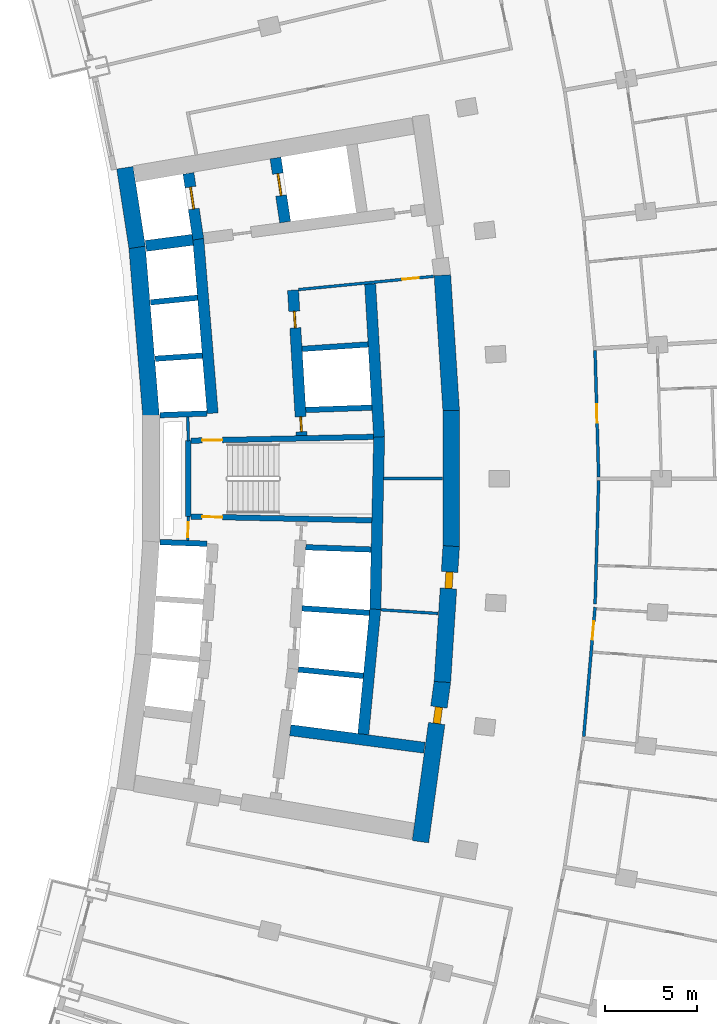
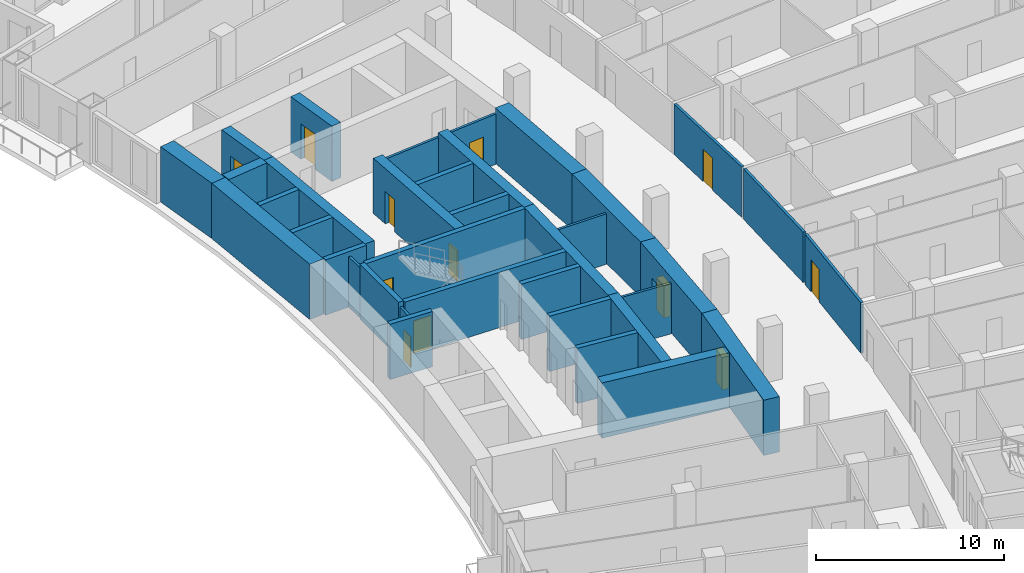
# One storey, part 16 of 25: 35 walls, 12 doors, 12 openings.
"""IFC4 building model written with IfcOpenShell, lengths in metres."""

from ifc_helpers import new_model, si_unit, direction, frame, frame_2d, origin, place, context, subcontext, project, spatial, rectangle, extrude, material, layer, layer_set, type_object, element, fill, save


model = new_model("IFC4")

# Units and contexts
model_context = context("Model", 3, precision=1e-05, world=origin(), true_north=direction((0.0, 1.0)))
body_context = subcontext(model_context, "Body", "Model", "MODEL_VIEW")
ifc_project = project(units=[si_unit("LENGTHUNIT", "METRE"), si_unit("AREAUNIT", "SQUARE_METRE"), si_unit("VOLUMEUNIT", "CUBIC_METRE"), si_unit("PLANEANGLEUNIT", "RADIAN"), si_unit("MASSUNIT", "GRAM", prefix="KILO")], contexts=[model_context])

# Site, building, storey
site_placement = place(None, origin())
site = spatial("IfcSite", under=ifc_project, at=site_placement, CompositionType="ELEMENT")
building_placement = place(site_placement, origin())
building = spatial("IfcBuilding", under=site, at=building_placement, Name="Alderwake Tower", CompositionType="ELEMENT")
storey_placement = place(building_placement, frame((0.0, 0.0, 68.0)))
storey = spatial("IfcBuildingStorey", under=building, at=storey_placement, Name="L16", CompositionType="ELEMENT", Elevation=68.0)

# Wall, opening, door
ifc_material_1 = material(Name="Gypsum shaft wall system, rated")
ifc_layer_1 = layer(ifc_material_1, 0.14990234375)
ifc_layer_set_1 = layer_set([ifc_layer_1], Name="Core room partition 150")
wall_type_1 = type_object("IfcWallType", Name="Core room partition 150", PredefinedType="PARTITIONING", material=ifc_layer_set_1)
wall_1_placement = place(storey_placement, frame((18.918701171875, 58.94384765625, 0.0), z_axis=(0.0, 0.0, 1.0), x_axis=(-0.027348257573, -0.999625966453, 0.0)))
wall_1 = element("IfcWall", 1, at=wall_1_placement, inside=storey, type_object=wall_type_1, Name="CW/L16/PA+24_-37", PredefinedType="PARTITIONING", context=body_context, shape_type="SweptSolid", body=[
    extrude(rectangle(XDim=1.29443359375, YDim=0.14990234375, at=frame_2d((0.647216796875, 0.0))), origin(), (0.0, 0.0, 1.0), 3.280029296875),
])
opening_1_placement = place(wall_1_placement, frame((0.322998046875, 0.0, 0.0)))
opening_1 = element("IfcOpeningElement", 2, at=opening_1_placement, cuts=wall_1, Name="Opening C004", PredefinedType="OPENING", context=body_context, shape_type="SweptSolid", body=[
    extrude(rectangle(XDim=0.800048828125, YDim=2.0, at=frame_2d((0.39990234375, 1.0))), frame((0.0, 0.0849609375, 0.0), z_axis=(0.0, -1.0, 0.0), x_axis=(1.0, 0.0, 0.0)), (0.0, 0.0, 1.0), 0.169921875),
])
ifc_material_2 = material(Name="Painted steel leaf, rated", Category="steel")
door_type_1 = type_object("IfcDoorType", Name="Riser access door 800", OperationType="SINGLE_SWING_LEFT", PredefinedType="DOOR", material=ifc_material_2)
door_1_placement = place(opening_1_placement, origin())
door_1 = element("IfcDoor", 3, at=door_1_placement, inside=storey, type_object=door_type_1, Name="Riser access door", OperationType="SINGLE_SWING_RIGHT", OverallHeight=2.0, OverallWidth=0.800048828125, PredefinedType="DOOR", context=body_context, shape_type="SweptSolid", body=[
    extrude(rectangle(XDim=0.800048828125, YDim=2.0, at=frame_2d((0.39990234375, 1.0))), frame((0.0, 0.02490234375, 0.0), z_axis=(0.0, -1.0, 0.0), x_axis=(1.0, 0.0, 0.0)), (0.0, 0.0, 1.0), 0.050048828125),
])
fill(opening_1, door_1)

# Walls
wall_2_placement = place(storey_placement, frame((18.918701171875, 63.05517578125, 0.0), z_axis=(0.0, 0.0, 1.0), x_axis=(-0.027327648352, 0.999626530078, 0.0)))
element("IfcWall", 4, at=wall_2_placement, inside=storey, type_object=wall_type_1, Name="CW/L16/PA+24_+22", PredefinedType="PARTITIONING", context=body_context, shape_type="SweptSolid", body=[
    extrude(rectangle(XDim=1.29541015625, YDim=0.14990234375, at=frame_2d((0.647705078125, 0.0))), origin(), (0.0, 0.0, 1.0), 3.280029296875),
])
wall_3_placement = place(storey_placement, frame((29.368408203125, 53.8779296875, 0.0), z_axis=(0.0, 0.0, 1.0), x_axis=(0.997885422127, -0.064997571548, 0.0)))
element("IfcWall", 5, at=wall_3_placement, inside=storey, type_object=wall_type_1, Name="CW/L16/PR-68_+128", PredefinedType="PARTITIONING", context=body_context, shape_type="SweptSolid", body=[
    extrude(rectangle(XDim=3.110107421875, YDim=0.14990234375, at=frame_2d((1.55517578125, 0.0))), origin(), (0.0, 0.0, 1.0), 3.280029296875),
])
wall_4_placement = place(storey_placement, frame((29.526123046875, 61.0, 0.0), z_axis=(0.0, 0.0, 1.0), x_axis=(1.0, 0.0, 0.0)))
element("IfcWall", 6, at=wall_4_placement, inside=storey, type_object=wall_type_1, Name="CW/L16/PR+0_+128", PredefinedType="PARTITIONING", context=body_context, shape_type="SweptSolid", body=[
    extrude(rectangle(XDim=3.18408203125, YDim=0.14990234375, at=frame_2d((1.592041015625, 0.0))), origin(), (0.0, 0.0, 1.0), 3.280029296875),
])

# Wall, opening, door
wall_5_placement = place(storey_placement, frame((32.233642578125, 71.982177734375, 0.0), z_axis=(0.0, 0.0, 1.0), x_axis=(-0.995245540971, -0.097397706226, 0.0)))
wall_5 = element("IfcWall", 7, at=wall_5_placement, inside=storey, type_object=wall_type_1, Name="CW/L16/PR+102_+86", PredefinedType="PARTITIONING", context=body_context, shape_type="SweptSolid", body=[
    extrude(rectangle(XDim=7.36962890625, YDim=0.14990234375, at=frame_2d((3.684814453125, 0.0))), origin(), (0.0, 0.0, 1.0), 3.280029296875),
])
opening_2_placement = place(wall_5_placement, frame((0.819580078125, 0.0, 0.0)))
opening_2 = element("IfcOpeningElement", 8, at=opening_2_placement, cuts=wall_5, Name="Opening C032", PredefinedType="OPENING", context=body_context, shape_type="SweptSolid", body=[
    extrude(rectangle(XDim=0.89990234375, YDim=2.10009765625, at=frame_2d((0.449951171875, 1.050048828125))), frame((0.0, 0.0849609375, 0.0), z_axis=(0.0, -1.0, 0.0), x_axis=(1.0, 0.0, 0.0)), (0.0, 0.0, 1.0), 0.169921875),
])
ifc_material_3 = material(Name="Painted steel leaf", Category="steel")
door_type_2 = type_object("IfcDoorType", Name="Core room door 900", OperationType="SINGLE_SWING_LEFT", PredefinedType="DOOR", material=ifc_material_3)
door_2_placement = place(opening_2_placement, origin())
door_2 = element("IfcDoor", 9, at=door_2_placement, inside=storey, type_object=door_type_2, Name="Room door", OperationType="SINGLE_SWING_RIGHT", OverallHeight=2.10009765625, OverallWidth=0.89990234375, PredefinedType="DOOR", context=body_context, shape_type="SweptSolid", body=[
    extrude(rectangle(XDim=0.89990234375, YDim=2.10009765625, at=frame_2d((0.449951171875, 1.050048828125))), frame((0.0, 0.02490234375, 0.0), z_axis=(0.0, -1.0, 0.0), x_axis=(1.0, 0.0, 0.0)), (0.0, 0.0, 1.0), 0.050048828125),
])
fill(opening_2, door_2)

# Walls
ifc_material_4 = material(Name="Concrete C70/85", Category="concrete")
ifc_layer_2 = layer(ifc_material_4, 0.89990234375)
ifc_layer_set_2 = layer_set([ifc_layer_2], Name="Core wall outer 900 C70-85")
wall_type_2 = type_object("IfcWallType", Name="Core wall outer 900 C70-85", PredefinedType="SHEAR", material=ifc_layer_set_2)
wall_6_placement = place(storey_placement, frame((16.890869140625, 64.41064453125, 0.0), z_axis=(0.0, 0.0, 1.0), x_axis=(-0.082624275373, 0.996580768989, 0.0)))
element("IfcWall", 10, at=wall_6_placement, inside=storey, type_object=wall_type_2, Name="Core wall CW.040", PredefinedType="SHEAR", context=body_context, shape_type="SweptSolid", body=[
    extrude(rectangle(XDim=9.210205078125, YDim=0.89990234375, at=frame_2d((4.60498046875, 0.0))), origin(), (0.0, 0.0, 1.0), 3.60009765625),
])
wall_7_placement = place(storey_placement, frame((16.1337890625, 73.557373046875, 0.0), z_axis=(0.0, 0.0, 1.0), x_axis=(-0.151956504286, 0.988387181627, 0.0)))
element("IfcWall", 11, at=wall_7_placement, inside=storey, type_object=wall_type_2, Name="Core wall CW.039", PredefinedType="SHEAR", context=body_context, shape_type="SweptSolid", body=[
    extrude(rectangle(XDim=4.373291015625, YDim=0.89990234375, at=frame_2d((2.1865234375, 0.0))), origin(), (0.0, 0.0, 1.0), 3.60009765625),
])

# Wall, opening, door
wall_8_placement = place(storey_placement, frame((32.7138671875, 49.9873046875, 0.0), z_axis=(0.0, 0.0, 1.0), x_axis=(-0.135844728876, -0.990730139663, 0.0)))
wall_8 = element("IfcWall", 12, at=wall_8_placement, inside=storey, type_object=wall_type_2, Name="Core wall CW.012", PredefinedType="SHEAR", context=body_context, shape_type="SweptSolid", body=[
    extrude(rectangle(XDim=8.78662109375, YDim=0.89990234375, at=frame_2d((4.393310546875, 0.0))), origin(), (0.0, 0.0, 1.0), 3.60009765625),
])
opening_3_placement = place(wall_8_placement, frame((1.40673828125, 0.0, 0.0)))
opening_3 = element("IfcOpeningElement", 13, at=opening_3_placement, cuts=wall_8, Name="Opening C049", PredefinedType="OPENING", context=body_context, shape_type="SweptSolid", body=[
    extrude(rectangle(XDim=0.89990234375, YDim=2.10009765625, at=frame_2d((0.449951171875, 1.050048828125))), frame((0.0, 0.4599609375, 0.0), z_axis=(0.0, -1.0, 0.0), x_axis=(1.0, 0.0, 0.0)), (0.0, 0.0, 1.0), 0.919921875),
])
door_3_placement = place(opening_3_placement, origin())
door_3 = element("IfcDoor", 14, at=door_3_placement, inside=storey, type_object=door_type_2, Name="Room door", OperationType="SINGLE_SWING_LEFT", OverallHeight=2.10009765625, OverallWidth=0.89990234375, PredefinedType="DOOR", context=body_context, shape_type="SweptSolid", body=[
    extrude(rectangle(XDim=0.89990234375, YDim=2.10009765625, at=frame_2d((0.449951171875, 1.050048828125))), frame((0.0, 0.199951171875, 0.0), z_axis=(0.0, -1.0, 0.0), x_axis=(1.0, 0.0, 0.0)), (0.0, 0.0, 1.0), 0.39990234375),
])
fill(opening_3, door_3)

wall_9_placement = place(storey_placement, frame((33.191162109375, 57.33349609375, 0.0), z_axis=(0.0, 0.0, 1.0), x_axis=(-0.064976219143, -0.997886812693, 0.0)))
wall_9 = element("IfcWall", 15, at=wall_9_placement, inside=storey, type_object=wall_type_2, Name="Core wall CW.011", PredefinedType="SHEAR", context=body_context, shape_type="SweptSolid", body=[
    extrude(rectangle(XDim=7.39453125, YDim=0.89990234375, at=frame_2d((3.697265625, 0.0))), origin(), (0.0, 0.0, 1.0), 3.60009765625),
])
opening_4_placement = place(wall_9_placement, frame((1.405517578125, 0.0, 0.0)))
opening_4 = element("IfcOpeningElement", 16, at=opening_4_placement, cuts=wall_9, Name="Opening C028", PredefinedType="OPENING", context=body_context, shape_type="SweptSolid", body=[
    extrude(rectangle(XDim=0.89990234375, YDim=2.10009765625, at=frame_2d((0.449951171875, 1.050048828125))), frame((0.0, 0.4599609375, 0.0), z_axis=(0.0, -1.0, 0.0), x_axis=(1.0, 0.0, 0.0)), (0.0, 0.0, 1.0), 0.919921875),
])
door_4_placement = place(opening_4_placement, origin())
door_4 = element("IfcDoor", 17, at=door_4_placement, inside=storey, type_object=door_type_2, Name="Room door", OperationType="SINGLE_SWING_LEFT", OverallHeight=2.10009765625, OverallWidth=0.89990234375, PredefinedType="DOOR", context=body_context, shape_type="SweptSolid", body=[
    extrude(rectangle(XDim=0.89990234375, YDim=2.10009765625, at=frame_2d((0.449951171875, 1.050048828125))), frame((0.0, 0.199951171875, 0.0), z_axis=(0.0, -1.0, 0.0), x_axis=(1.0, 0.0, 0.0)), (0.0, 0.0, 1.0), 0.39990234375),
])
fill(opening_4, door_4)

# Walls
wall_10_placement = place(storey_placement, frame((33.190185546875, 57.30322265625, 0.0), z_axis=(0.0, 0.0, 1.0), x_axis=(0.0, 1.0, 0.0)))
element("IfcWall", 18, at=wall_10_placement, inside=storey, type_object=wall_type_2, Name="Core wall CW.013", PredefinedType="SHEAR", context=body_context, shape_type="SweptSolid", body=[
    extrude(rectangle(XDim=7.3935546875, YDim=0.89990234375, at=frame_2d((3.69677734375, 0.0))), origin(), (0.0, 0.0, 1.0), 3.60009765625),
])
wall_11_placement = place(storey_placement, frame((33.191162109375, 64.66650390625, 0.0), z_axis=(0.0, 0.0, 1.0), x_axis=(-0.064976219143, 0.997886812693, 0.0)))
element("IfcWall", 19, at=wall_11_placement, inside=storey, type_object=wall_type_2, Name="Core wall CW.010", PredefinedType="SHEAR", context=body_context, shape_type="SweptSolid", body=[
    extrude(rectangle(XDim=7.39453125, YDim=0.89990234375, at=frame_2d((3.697265625, 0.0))), origin(), (0.0, 0.0, 1.0), 3.60009765625),
])
ifc_material_5 = material(Name="Concrete C70/85", Category="concrete")
ifc_layer_3 = layer(ifc_material_5, 0.300048828125)
ifc_layer_set_3 = layer_set([ifc_layer_3], Name="Core wall shaft 300 C70-85")
wall_type_3 = type_object("IfcWallType", Name="Core wall shaft 300 C70-85", PredefinedType="SHEAR", material=ifc_layer_set_3)
wall_12_placement = place(storey_placement, frame((24.889404296875, 50.635009765625, 0.0), z_axis=(0.0, 0.0, 1.0), x_axis=(0.995157756799, -0.098290584916, 0.0)))
element("IfcWall", 20, at=wall_12_placement, inside=storey, type_object=wall_type_3, Name="Core wall CW.066", PredefinedType="SHEAR", context=body_context, shape_type="SweptSolid", body=[
    extrude(rectangle(XDim=3.546875, YDim=0.300048828125, at=frame_2d((1.7734375, 0.0))), origin(), (0.0, 0.0, 1.0), 3.60009765625),
])
wall_13_placement = place(storey_placement, frame((25.090087890625, 53.954833984375, 0.0), z_axis=(0.0, 0.0, 1.0), x_axis=(0.997759755038, -0.066898962827, 0.0)))
element("IfcWall", 21, at=wall_13_placement, inside=storey, type_object=wall_type_3, Name="Core wall CW.080", PredefinedType="SHEAR", context=body_context, shape_type="SweptSolid", body=[
    extrude(rectangle(XDim=3.667724609375, YDim=0.300048828125, at=frame_2d((1.833984375, 0.0))), origin(), (0.0, 0.0, 1.0), 3.60009765625),
])
wall_14_placement = place(storey_placement, frame((17.369140625, 57.553466796875, 0.0), z_axis=(0.0, 0.0, 1.0), x_axis=(0.99937189907, -0.035437372217, 0.0)))
element("IfcWall", 22, at=wall_14_placement, inside=storey, type_object=wall_type_3, Name="Core wall CW.076", PredefinedType="SHEAR", context=body_context, shape_type="SweptSolid", body=[
    extrude(rectangle(XDim=2.56982421875, YDim=0.300048828125, at=frame_2d((1.284912109375, 0.0))), origin(), (0.0, 0.0, 1.0), 3.60009765625),
])
wall_15_placement = place(storey_placement, frame((25.29052734375, 57.27294921875, 0.0), z_axis=(0.0, 0.0, 1.0), x_axis=(0.999373490158, -0.035392473348, 0.0)))
element("IfcWall", 23, at=wall_15_placement, inside=storey, type_object=wall_type_3, Name="Core wall CW.077", PredefinedType="SHEAR", context=body_context, shape_type="SweptSolid", body=[
    extrude(rectangle(XDim=3.552490234375, YDim=0.300048828125, at=frame_2d((1.7763671875, 0.0))), origin(), (0.0, 0.0, 1.0), 3.60009765625),
])
wall_16_placement = place(storey_placement, frame((17.369384765625, 64.446533203125, 0.0), z_axis=(0.0, 0.0, 1.0), x_axis=(0.999371660382, 0.035444102817, 0.0)))
element("IfcWall", 24, at=wall_16_placement, inside=storey, type_object=wall_type_3, Name="Core wall CW.059", PredefinedType="SHEAR", context=body_context, shape_type="SweptSolid", body=[
    extrude(rectangle(XDim=2.5693359375, YDim=0.300048828125, at=frame_2d((1.28466796875, 0.0))), origin(), (0.0, 0.0, 1.0), 3.60009765625),
])
wall_17_placement = place(storey_placement, frame((25.291259765625, 64.72705078125, 0.0), z_axis=(0.0, 0.0, 1.0), x_axis=(0.999373454301, 0.035393485806, 0.0)))
element("IfcWall", 25, at=wall_17_placement, inside=storey, type_object=wall_type_3, Name="Core wall CW.060", PredefinedType="SHEAR", context=body_context, shape_type="SweptSolid", body=[
    extrude(rectangle(XDim=3.59375, YDim=0.300048828125, at=frame_2d((1.796875, 0.0))), origin(), (0.0, 0.0, 1.0), 3.60009765625),
])
wall_18_placement = place(storey_placement, frame((17.115478515625, 67.510498046875, 0.0), z_axis=(0.0, 0.0, 1.0), x_axis=(0.99775517309, 0.06696726493, 0.0)))
element("IfcWall", 26, at=wall_18_placement, inside=storey, type_object=wall_type_3, Name="Core wall CW.062", PredefinedType="SHEAR", context=body_context, shape_type="SweptSolid", body=[
    extrude(rectangle(XDim=2.566650390625, YDim=0.300048828125, at=frame_2d((1.283203125, 0.0))), origin(), (0.0, 0.0, 1.0), 3.60009765625),
])
wall_19_placement = place(storey_placement, frame((25.09228515625, 68.04541015625, 0.0), z_axis=(0.0, 0.0, 1.0), x_axis=(0.997761968855, 0.066865936816, 0.0)))
element("IfcWall", 27, at=wall_19_placement, inside=storey, type_object=wall_type_3, Name="Core wall CW.063", PredefinedType="SHEAR", context=body_context, shape_type="SweptSolid", body=[
    extrude(rectangle(XDim=3.596435546875, YDim=0.300048828125, at=frame_2d((1.79833984375, 0.0))), origin(), (0.0, 0.0, 1.0), 3.60009765625),
])
wall_20_placement = place(storey_placement, frame((16.86181640625, 70.571533203125, 0.0), z_axis=(0.0, 0.0, 1.0), x_axis=(0.995151424955, 0.098354671516, 0.0)))
element("IfcWall", 28, at=wall_20_placement, inside=storey, type_object=wall_type_3, Name="Core wall CW.050", PredefinedType="SHEAR", context=body_context, shape_type="SweptSolid", body=[
    extrude(rectangle(XDim=2.566650390625, YDim=0.300048828125, at=frame_2d((1.283203125, 0.0))), origin(), (0.0, 0.0, 1.0), 3.60009765625),
])
ifc_material_6 = material(Name="Concrete C70/85", Category="concrete")
ifc_layer_4 = layer(ifc_material_6, 0.60009765625)
ifc_layer_set_4 = layer_set([ifc_layer_4], Name="Core wall spine 600 C70-85")
wall_type_4 = type_object("IfcWallType", Name="Core wall spine 600 C70-85", PredefinedType="SHEAR", material=ifc_layer_set_4)
wall_21_placement = place(storey_placement, frame((20.2373046875, 64.548095703125, 0.0), z_axis=(0.0, 0.0, 1.0), x_axis=(-0.082626598613, 0.996580576372, 0.0)))
element("IfcWall", 29, at=wall_21_placement, inside=storey, type_object=wall_type_4, Name="Core wall CW.031", PredefinedType="SHEAR", context=body_context, shape_type="SweptSolid", body=[
    extrude(rectangle(XDim=9.50244140625, YDim=0.60009765625, at=frame_2d((4.751220703125, 0.0))), origin(), (0.0, 0.0, 1.0), 3.60009765625),
])

# Wall, opening, door
wall_22_placement = place(storey_placement, frame((19.45458984375, 73.99755859375, 0.0), z_axis=(0.0, 0.0, 1.0), x_axis=(-0.147502312715, 0.989061710786, 0.0)))
wall_22 = element("IfcWall", 30, at=wall_22_placement, inside=storey, type_object=wall_type_4, Name="Core wall CW.030", PredefinedType="SHEAR", context=body_context, shape_type="SweptSolid", body=[
    extrude(rectangle(XDim=3.6181640625, YDim=0.60009765625, at=frame_2d((1.80908203125, 0.0))), origin(), (0.0, 0.0, 1.0), 3.60009765625),
])
opening_5_placement = place(wall_22_placement, frame((1.664306640625, 0.0, 0.0)))
opening_5 = element("IfcOpeningElement", 31, at=opening_5_placement, cuts=wall_22, Name="Opening LD-FF1", PredefinedType="OPENING", context=body_context, shape_type="SweptSolid", body=[
    extrude(rectangle(XDim=1.199951171875, YDim=2.300048828125, at=frame_2d((0.60009765625, 1.14990234375))), frame((0.0, 0.31005859375, 0.0), z_axis=(0.0, -1.0, 0.0), x_axis=(1.0, 0.0, 0.0)), (0.0, 0.0, 1.0), 0.6201171875),
])
ifc_material_7 = material(Name="Stainless steel sliding leaf", Category="steel")
door_type_3 = type_object("IfcDoorType", Name="Lift landing door 1200", OperationType="SLIDING_TO_LEFT", PredefinedType="DOOR", material=ifc_material_7)
door_5_placement = place(opening_5_placement, origin())
door_5 = element("IfcDoor", 32, at=door_5_placement, inside=storey, type_object=door_type_3, Name="Lift landing door FF1", OperationType="SLIDING_TO_LEFT", OverallHeight=2.300048828125, OverallWidth=1.199951171875, PredefinedType="DOOR", context=body_context, shape_type="SweptSolid", body=[
    extrude(rectangle(XDim=1.199951171875, YDim=2.300048828125, at=frame_2d((0.60009765625, 1.14990234375))), frame((0.0, 0.050048828125, 0.0), z_axis=(0.0, -1.0, 0.0), x_axis=(1.0, 0.0, 0.0)), (0.0, 0.0, 1.0), 0.10009765625),
])
fill(opening_5, door_5)

# Wall, openings, doors
wall_23_placement = place(storey_placement, frame((25.073974609375, 63.335693359375, 0.0), z_axis=(0.0, 0.0, 1.0), x_axis=(-0.059848641072, 0.998207463487, 0.0)))
wall_23 = element("IfcWall", 33, at=wall_23_placement, inside=storey, type_object=wall_type_4, Name="Core wall CW.045", PredefinedType="SHEAR", context=body_context, shape_type="SweptSolid", body=[
    extrude(rectangle(XDim=7.913818359375, YDim=0.60009765625, at=frame_2d((3.95703125, 0.0))), origin(), (0.0, 0.0, 1.0), 3.60009765625),
])
opening_6_placement = place(wall_23_placement, frame((0.216064453125, 0.0, 0.0)))
opening_6 = element("IfcOpeningElement", 34, at=opening_6_placement, cuts=wall_23, Name="Opening C005", PredefinedType="OPENING", context=body_context, shape_type="SweptSolid", body=[
    extrude(rectangle(XDim=0.800048828125, YDim=2.0, at=frame_2d((0.39990234375, 1.0))), frame((0.0, 0.31005859375, 0.0), z_axis=(0.0, -1.0, 0.0), x_axis=(1.0, 0.0, 0.0)), (0.0, 0.0, 1.0), 0.6201171875),
])
opening_7_placement = place(wall_23_placement, frame((5.856201171875, 0.0, 0.0)))
opening_7 = element("IfcOpeningElement", 35, at=opening_7_placement, cuts=wall_23, Name="Opening C023", PredefinedType="OPENING", context=body_context, shape_type="SweptSolid", body=[
    extrude(rectangle(XDim=0.89990234375, YDim=2.10009765625, at=frame_2d((0.449951171875, 1.050048828125))), frame((0.0, 0.31005859375, 0.0), z_axis=(0.0, -1.0, 0.0), x_axis=(1.0, 0.0, 0.0)), (0.0, 0.0, 1.0), 0.6201171875),
])
door_6_placement = place(opening_7_placement, origin())
door_6 = element("IfcDoor", 36, at=door_6_placement, inside=storey, type_object=door_type_2, Name="Room door", OperationType="SINGLE_SWING_RIGHT", OverallHeight=2.10009765625, OverallWidth=0.89990234375, PredefinedType="DOOR", context=body_context, shape_type="SweptSolid", body=[
    extrude(rectangle(XDim=0.89990234375, YDim=2.10009765625, at=frame_2d((0.449951171875, 1.050048828125))), frame((0.0, 0.050048828125, 0.0), z_axis=(0.0, -1.0, 0.0), x_axis=(1.0, 0.0, 0.0)), (0.0, 0.0, 1.0), 0.10009765625),
])
fill(opening_7, door_6)
door_7_placement = place(opening_6_placement, origin())
door_7 = element("IfcDoor", 37, at=door_7_placement, inside=storey, type_object=door_type_1, Name="Riser access door", OperationType="SINGLE_SWING_LEFT", OverallHeight=2.0, OverallWidth=0.800048828125, PredefinedType="DOOR", context=body_context, shape_type="SweptSolid", body=[
    extrude(rectangle(XDim=0.800048828125, YDim=2.0, at=frame_2d((0.39990234375, 1.0))), frame((0.0, 0.050048828125, 0.0), z_axis=(0.0, -1.0, 0.0), x_axis=(1.0, 0.0, 0.0)), (0.0, 0.0, 1.0), 0.10009765625),
])
fill(opening_6, door_7)

# Wall, opening, door
wall_24_placement = place(storey_placement, frame((24.173095703125, 74.927734375, 0.0), z_axis=(0.0, 0.0, 1.0), x_axis=(-0.14910953086, 0.988820685365, 0.0)))
wall_24 = element("IfcWall", 38, at=wall_24_placement, inside=storey, type_object=wall_type_4, Name="Core wall CW.044", PredefinedType="SHEAR", context=body_context, shape_type="SweptSolid", body=[
    extrude(rectangle(XDim=3.5234375, YDim=0.60009765625, at=frame_2d((1.76171875, 0.0))), origin(), (0.0, 0.0, 1.0), 3.60009765625),
])
opening_8_placement = place(wall_24_placement, frame((1.4619140625, 0.0, 0.0)))
opening_8 = element("IfcOpeningElement", 39, at=opening_8_placement, cuts=wall_24, Name="Opening LD-FF2", PredefinedType="OPENING", context=body_context, shape_type="SweptSolid", body=[
    extrude(rectangle(XDim=1.199951171875, YDim=2.300048828125, at=frame_2d((0.60009765625, 1.14990234375))), frame((0.0, 0.31005859375, 0.0), z_axis=(0.0, -1.0, 0.0), x_axis=(1.0, 0.0, 0.0)), (0.0, 0.0, 1.0), 0.6201171875),
])
door_8_placement = place(opening_8_placement, origin())
door_8 = element("IfcDoor", 40, at=door_8_placement, inside=storey, type_object=door_type_3, Name="Lift landing door FF2", OperationType="SLIDING_TO_LEFT", OverallHeight=2.300048828125, OverallWidth=1.199951171875, PredefinedType="DOOR", context=body_context, shape_type="SweptSolid", body=[
    extrude(rectangle(XDim=1.199951171875, YDim=2.300048828125, at=frame_2d((0.60009765625, 1.14990234375))), frame((0.0, 0.050048828125, 0.0), z_axis=(0.0, -1.0, 0.0), x_axis=(1.0, 0.0, 0.0)), (0.0, 0.0, 1.0), 0.10009765625),
])
fill(opening_8, door_8)

# Walls
wall_25_placement = place(storey_placement, frame((28.415283203125, 47.12255859375, 0.0), z_axis=(0.0, 0.0, 1.0), x_axis=(0.096035810952, 0.995377879508, 0.0)))
element("IfcWall", 41, at=wall_25_placement, inside=storey, type_object=wall_type_4, Name="Core wall CW.005", PredefinedType="SHEAR", context=body_context, shape_type="SweptSolid", body=[
    extrude(rectangle(XDim=6.818115234375, YDim=0.60009765625, at=frame_2d((3.4091796875, 0.0))), origin(), (0.0, 0.0, 1.0), 3.60009765625),
])
wall_26_placement = place(storey_placement, frame((29.068603515625, 53.885986328125, 0.0), z_axis=(0.0, 0.0, 1.0), x_axis=(0.022123304576, 0.999755249746, 0.0)))
element("IfcWall", 42, at=wall_26_placement, inside=storey, type_object=wall_type_4, Name="Core wall CW.008", PredefinedType="SHEAR", context=body_context, shape_type="SweptSolid", body=[
    extrude(rectangle(XDim=9.402099609375, YDim=0.60009765625, at=frame_2d((4.701171875, 0.0))), origin(), (0.0, 0.0, 1.0), 3.60009765625),
])
wall_27_placement = place(storey_placement, frame((29.277099609375, 63.260498046875, 0.0), z_axis=(0.0, 0.0, 1.0), x_axis=(-0.058809712878, 0.99826921102, 0.0)))
element("IfcWall", 43, at=wall_27_placement, inside=storey, type_object=wall_type_4, Name="Core wall CW.002", PredefinedType="SHEAR", context=body_context, shape_type="SweptSolid", body=[
    extrude(rectangle(XDim=8.323486328125, YDim=0.60009765625, at=frame_2d((4.16162109375, 0.0))), origin(), (0.0, 0.0, 1.0), 3.60009765625),
])
wall_28_placement = place(storey_placement, frame((24.4501953125, 47.338623046875, 0.0), z_axis=(0.0, 0.0, 1.0), x_axis=(0.991554769286, -0.129688625198, 0.0)))
element("IfcWall", 44, at=wall_28_placement, inside=storey, type_object=wall_type_4, Name="Core wall CW.069", PredefinedType="SHEAR", context=body_context, shape_type="SweptSolid", body=[
    extrude(rectangle(XDim=7.347412109375, YDim=0.60009765625, at=frame_2d((3.673828125, 0.0))), origin(), (0.0, 0.0, 1.0), 3.60009765625),
])
wall_29_placement = place(storey_placement, frame((16.607666015625, 73.635498046875, 0.0), z_axis=(0.0, 0.0, 1.0), x_axis=(0.991551057449, 0.129717001478, 0.0)))
element("IfcWall", 45, at=wall_29_placement, inside=storey, type_object=wall_type_4, Name="Core wall CW.051", PredefinedType="SHEAR", context=body_context, shape_type="SweptSolid", body=[
    extrude(rectangle(XDim=2.569091796875, YDim=0.60009765625, at=frame_2d((1.28466796875, 0.0))), origin(), (0.0, 0.0, 1.0), 3.60009765625),
])
ifc_material_8 = material(Name="Concrete C70/85", Category="concrete")
ifc_layer_5 = layer(ifc_material_8, 0.300048828125)
ifc_layer_set_5 = layer_set([ifc_layer_5], Name="Core wall stair enclosure 300 C70-85")
wall_type_5 = type_object("IfcWallType", Name="Core wall stair enclosure 300 C70-85", PredefinedType="SHEAR", material=ifc_layer_set_5)
wall_30_placement = place(storey_placement, frame((18.918701171875, 58.94091796875, 0.0), z_axis=(0.0, 0.0, 1.0), x_axis=(0.0, 1.0, 0.0)))
element("IfcWall", 46, at=wall_30_placement, inside=storey, type_object=wall_type_5, Name="Core wall CW.024", PredefinedType="SHEAR", context=body_context, shape_type="SweptSolid", body=[
    extrude(rectangle(XDim=4.119384765625, YDim=0.300048828125, at=frame_2d((2.0595703125, 0.0))), origin(), (0.0, 0.0, 1.0), 3.60009765625),
])

# Wall, opening, door
wall_31_placement = place(storey_placement, frame((28.8759765625, 58.735107421875, 0.0), z_axis=(0.0, 0.0, 1.0), x_axis=(-0.999783520771, 0.020806527678, 0.0)))
wall_31 = element("IfcWall", 47, at=wall_31_placement, inside=storey, type_object=wall_type_5, Name="Core wall CW.074", PredefinedType="SHEAR", context=body_context, shape_type="SweptSolid", body=[
    extrude(rectangle(XDim=9.8095703125, YDim=0.300048828125, at=frame_2d((4.90478515625, 0.0))), origin(), (0.0, 0.0, 1.0), 3.60009765625),
])
opening_9_placement = place(wall_31_placement, frame((8.109375, 0.0, 0.0)))
opening_9 = element("IfcOpeningElement", 48, at=opening_9_placement, cuts=wall_31, Name="Opening C063", PredefinedType="OPENING", context=body_context, shape_type="SweptSolid", body=[
    extrude(rectangle(XDim=1.10009765625, YDim=2.10009765625, at=frame_2d((0.550048828125, 1.050048828125))), frame((0.0, 0.159912109375, 0.0), z_axis=(0.0, -1.0, 0.0), x_axis=(1.0, 0.0, 0.0)), (0.0, 0.0, 1.0), 0.320068359375),
])
ifc_material_9 = material(Name="Steel-framed fire door leaf", Category="steel")
door_type_4 = type_object("IfcDoorType", Name="Core stair door 1100 fire-rated", OperationType="SINGLE_SWING_LEFT", PredefinedType="DOOR", material=ifc_material_9)
door_9_placement = place(opening_9_placement, origin())
door_9 = element("IfcDoor", 49, at=door_9_placement, inside=storey, type_object=door_type_4, Name="Stair door", OperationType="SINGLE_SWING_LEFT", OverallHeight=2.10009765625, OverallWidth=1.10009765625, PredefinedType="DOOR", context=body_context, shape_type="SweptSolid", body=[
    extrude(rectangle(XDim=1.10009765625, YDim=2.10009765625, at=frame_2d((0.550048828125, 1.050048828125))), frame((0.0, 0.02490234375, 0.0), z_axis=(0.0, -1.0, 0.0), x_axis=(1.0, 0.0, 0.0)), (0.0, 0.0, 1.0), 0.050048828125),
])
fill(opening_9, door_9)

wall_32_placement = place(storey_placement, frame((19.068603515625, 63.060791015625, 0.0), z_axis=(0.0, 0.0, 1.0), x_axis=(0.999783793601, 0.020793413711, 0.0)))
wall_32 = element("IfcWall", 50, at=wall_32_placement, inside=storey, type_object=wall_type_5, Name="Core wall CW.057", PredefinedType="SHEAR", context=body_context, shape_type="SweptSolid", body=[
    extrude(rectangle(XDim=9.90966796875, YDim=0.300048828125, at=frame_2d((4.954833984375, 0.0))), origin(), (0.0, 0.0, 1.0), 3.60009765625),
])
opening_10_placement = place(wall_32_placement, frame((0.60009765625, 0.0, 0.0)))
opening_10 = element("IfcOpeningElement", 51, at=opening_10_placement, cuts=wall_32, Name="Opening C064", PredefinedType="OPENING", context=body_context, shape_type="SweptSolid", body=[
    extrude(rectangle(XDim=1.10009765625, YDim=2.10009765625, at=frame_2d((0.550048828125, 1.050048828125))), frame((0.0, 0.159912109375, 0.0), z_axis=(0.0, -1.0, 0.0), x_axis=(1.0, 0.0, 0.0)), (0.0, 0.0, 1.0), 0.320068359375),
])
door_10_placement = place(opening_10_placement, origin())
door_10 = element("IfcDoor", 52, at=door_10_placement, inside=storey, type_object=door_type_4, Name="Stair door", OperationType="SINGLE_SWING_RIGHT", OverallHeight=2.10009765625, OverallWidth=1.10009765625, PredefinedType="DOOR", context=body_context, shape_type="SweptSolid", body=[
    extrude(rectangle(XDim=1.10009765625, YDim=2.10009765625, at=frame_2d((0.550048828125, 1.050048828125))), frame((0.0, 0.02490234375, 0.0), z_axis=(0.0, -1.0, 0.0), x_axis=(1.0, 0.0, 0.0)), (0.0, 0.0, 1.0), 0.050048828125),
])
fill(opening_10, door_10)

ifc_material_10 = material(Name="Gypsum board on metal studs, rated")
ifc_layer_6 = layer(ifc_material_10, 0.159912109375)
ifc_layer_set_6 = layer_set([ifc_layer_6], Name="Corridor wall 160")
wall_type_6 = type_object("IfcWallType", Name="Corridor wall 160", PredefinedType="PARTITIONING", material=ifc_layer_set_6)
wall_33_placement = place(storey_placement, frame((41.001953125, 54.013671875, 0.0), z_axis=(0.0, 0.0, 1.0), x_axis=(-0.087430787456, -0.996170596537, 0.0)))
wall_33 = element("IfcWall", 53, at=wall_33_placement, inside=storey, type_object=wall_type_6, Name="WL/L16/W38", PredefinedType="PARTITIONING", context=body_context, shape_type="SweptSolid", body=[
    extrude(rectangle(XDim=7.048095703125, YDim=0.159912109375, at=frame_2d((3.52392578125, 0.0))), origin(), (0.0, 0.0, 1.0), 3.280029296875),
])
opening_11_placement = place(wall_33_placement, frame((0.75830078125, 0.0, 0.0)))
opening_11 = element("IfcOpeningElement", 54, at=opening_11_placement, cuts=wall_33, Name="Opening R04-U07.2", PredefinedType="OPENING", context=body_context, shape_type="SweptSolid", body=[
    extrude(rectangle(XDim=1.0, YDim=2.10009765625, at=frame_2d((0.5, 1.050048828125))), frame((0.0, 0.08984375, 0.0), z_axis=(0.0, -1.0, 0.0), x_axis=(1.0, 0.0, 0.0)), (0.0, 0.0, 1.0), 0.179931640625),
])
ifc_material_11 = material(Name="Solid timber leaf in steel frame", Category="steel")
door_type_5 = type_object("IfcDoorType", Name="Flat entrance door 1000 fire-rated", OperationType="SINGLE_SWING_LEFT", PredefinedType="DOOR", material=ifc_material_11)
door_11_placement = place(opening_11_placement, origin())
door_11 = element("IfcDoor", 55, at=door_11_placement, inside=storey, type_object=door_type_5, Name="DR/L16/U07.2", OperationType="SINGLE_SWING_LEFT", OverallHeight=2.10009765625, OverallWidth=1.0, PredefinedType="DOOR", context=body_context, shape_type="SweptSolid", body=[
    extrude(rectangle(XDim=1.0, YDim=2.10009765625, at=frame_2d((0.5, 1.050048828125))), frame((0.0, 0.02490234375, 0.0), z_axis=(0.0, -1.0, 0.0), x_axis=(1.0, 0.0, 0.0)), (0.0, 0.0, 1.0), 0.050048828125),
])
fill(opening_11, door_11)

# Wall
wall_34_placement = place(storey_placement, frame((41.002685546875, 54.20068359375, 0.0), z_axis=(0.0, 0.0, 1.0), x_axis=(0.028855161601, 0.999583603131, 0.0)))
element("IfcWall", 56, at=wall_34_placement, inside=storey, type_object=wall_type_6, Name="WL/L16/W40", PredefinedType="PARTITIONING", context=body_context, shape_type="SweptSolid", body=[
    extrude(rectangle(XDim=6.700927734375, YDim=0.159912109375, at=frame_2d((3.3505859375, 0.0))), origin(), (0.0, 0.0, 1.0), 3.280029296875),
])

# Wall, opening, door
wall_35_placement = place(storey_placement, frame((40.997802734375, 67.967041015625, 0.0), z_axis=(0.0, 0.0, 1.0), x_axis=(0.028852935833, -0.99958366738, 0.0)))
wall_35 = element("IfcWall", 57, at=wall_35_placement, inside=storey, type_object=wall_type_6, Name="WL/L16/W42", PredefinedType="PARTITIONING", context=body_context, shape_type="SweptSolid", body=[
    extrude(rectangle(XDim=6.870849609375, YDim=0.159912109375, at=frame_2d((3.435546875, 0.0))), origin(), (0.0, 0.0, 1.0), 3.280029296875),
])
opening_12_placement = place(wall_35_placement, frame((2.935302734375, 0.0, 0.0)))
opening_12 = element("IfcOpeningElement", 58, at=opening_12_placement, cuts=wall_35, Name="Opening R04-U08.2", PredefinedType="OPENING", context=body_context, shape_type="SweptSolid", body=[
    extrude(rectangle(XDim=1.0, YDim=2.10009765625, at=frame_2d((0.5, 1.050048828125))), frame((0.0, 0.08984375, 0.0), z_axis=(0.0, -1.0, 0.0), x_axis=(1.0, 0.0, 0.0)), (0.0, 0.0, 1.0), 0.179931640625),
])
door_12_placement = place(opening_12_placement, origin())
door_12 = element("IfcDoor", 59, at=door_12_placement, inside=storey, type_object=door_type_5, Name="DR/L16/U08.2", OperationType="SINGLE_SWING_LEFT", OverallHeight=2.10009765625, OverallWidth=1.0, PredefinedType="DOOR", context=body_context, shape_type="SweptSolid", body=[
    extrude(rectangle(XDim=1.0, YDim=2.10009765625, at=frame_2d((0.5, 1.050048828125))), frame((0.0, 0.02490234375, 0.0), z_axis=(0.0, -1.0, 0.0), x_axis=(1.0, 0.0, 0.0)), (0.0, 0.0, 1.0), 0.050048828125),
])
fill(opening_12, door_12)

save(model, "model.ifc")
